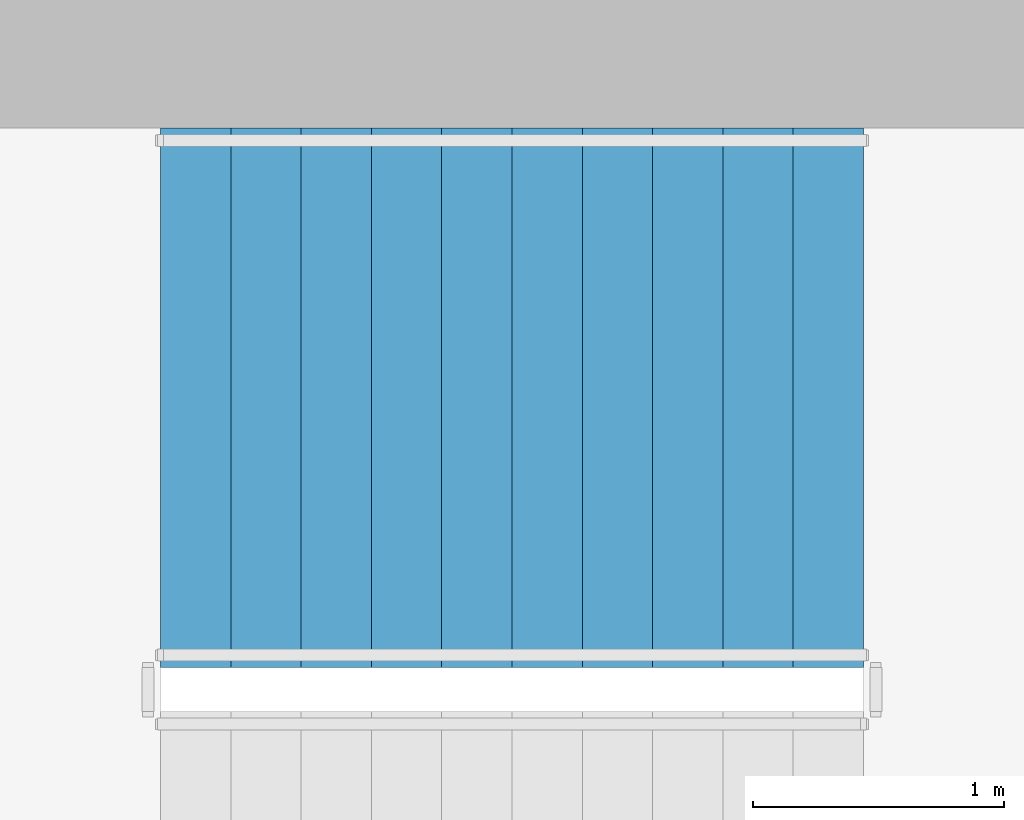
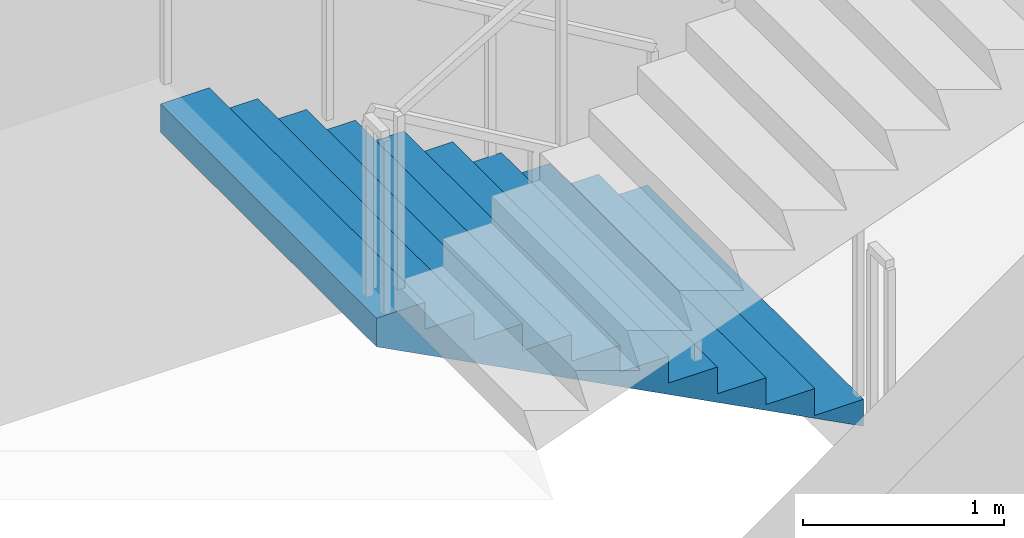
# One storey, part 16 of 24: 1 stair flight, 1 element without a shape of its own.
"""IFC4 building model written with IfcOpenShell, lengths in metres."""

from ifc_helpers import new_model, si_unit, direction, frame, origin, place, context, subcontext, project, spatial, triangles, material, type_object, element, aggregate, save


model = new_model("IFC4")

# Units and contexts
model_context = context("Model", 3, precision=1e-05, world=origin(), true_north=direction((0.0, 1.0)))
body_context = subcontext(model_context, "Body", "Model", "MODEL_VIEW")
ifc_project = project(units=[si_unit("LENGTHUNIT", "METRE"), si_unit("AREAUNIT", "SQUARE_METRE"), si_unit("VOLUMEUNIT", "CUBIC_METRE"), si_unit("PLANEANGLEUNIT", "RADIAN"), si_unit("MASSUNIT", "GRAM", prefix="KILO")], contexts=[model_context])

# Site, building, storey
site_placement = place(None, origin())
site = spatial("IfcSite", under=ifc_project, at=site_placement, CompositionType="ELEMENT")
building_placement = place(site_placement, origin())
building = spatial("IfcBuilding", under=site, at=building_placement, Name="Cypress Arch Tower", CompositionType="ELEMENT")
storey_placement = place(building_placement, frame((0.0, 0.0, 102.300048828125)))
storey = spatial("IfcBuildingStorey", under=building, at=storey_placement, Name="L20", CompositionType="ELEMENT", Elevation=102.300048828125)

# Stair, stair flight
ifc_material_1 = material(Name="Concrete C40/50", Category="concrete")
stair_type = type_object("IfcStairType", Name="Exit stair ES1636-215", PredefinedType="HALF_TURN_STAIR", material=ifc_material_1)
stair_placement = place(storey_placement, origin())
stair = element("IfcStair", 1, at=stair_placement, inside=storey, type_object=stair_type, Name="L20 Exit stair B", PredefinedType="HALF_TURN_STAIR")
ifc_material_2 = material(Name="Concrete C40/50", Category="concrete")
stair_flight_type = type_object("IfcStairFlightType", Name="Exit stair flight ES1636-215", PredefinedType="STRAIGHT", material=ifc_material_2)
stair_flight_placement = place(storey_placement, frame((-22.27490234375, 13.72509765625, 0.0), z_axis=(0.0, 0.0, 1.0), x_axis=(-1.0, 0.0, 0.0)))
stair_flight = element("IfcStairFlight", 2, at=stair_flight_placement, type_object=stair_flight_type, Name="B flight 1", NumberOfRisers=11, NumberOfTreads=10, PredefinedType="STRAIGHT", RiserHeight=0.163636364, TreadLength=0.28, context=body_context, shape_type="Tessellation", body=[
    triangles([(0.0, -1.074951171875, 0.0), (0.000244140625, -1.074951171875, 0.03271484375), (0.00048828125, -1.074951171875, 0.0654296875), (0.00048828125, -1.074951171875, 0.09814453125), (0.000244140625, -1.074951171875, 0.130859375), (0.0, -1.074951171875, 0.16357421875), (0.280029296875, -1.074951171875, 0.16357421875), (0.280029296875, -1.074951171875, 0.327392578125), (0.56005859375, -1.074951171875, 0.327392578125), (0.56005859375, -1.074951171875, 0.490966796875), (0.840087890625, -1.074951171875, 0.490966796875), (0.840087890625, -1.074951171875, 0.654541015625), (1.1201171875, -1.074951171875, 0.654541015625), (1.1201171875, -1.074951171875, 0.818115234375), (1.39990234375, -1.074951171875, 0.818115234375), (1.39990234375, -1.074951171875, 0.98193359375), (1.679931640625, -1.074951171875, 0.98193359375), (1.679931640625, -1.074951171875, 1.1455078125), (1.9599609375, -1.074951171875, 1.1455078125), (1.9599609375, -1.074951171875, 1.30908203125), (2.239990234375, -1.074951171875, 1.30908203125), (2.239990234375, -1.074951171875, 1.47265625), (2.52001953125, -1.074951171875, 1.47265625), (2.52001953125, -1.074951171875, 1.636474609375), (2.800048828125, -1.074951171875, 1.636474609375), (2.7998046875, -1.074951171875, 1.601806640625), (2.799560546875, -1.074951171875, 1.56689453125), (2.799560546875, -1.074951171875, 1.5322265625), (2.7998046875, -1.074951171875, 1.497314453125), (2.800048828125, -1.074951171875, 1.462646484375), (2.800048828125, 1.074951171875, 1.462646484375), (2.7998046875, 1.074951171875, 1.497314453125), (2.799560546875, 1.074951171875, 1.5322265625), (2.799560546875, 1.074951171875, 1.56689453125), (2.7998046875, 1.074951171875, 1.601806640625), (2.800048828125, 1.074951171875, 1.636474609375), (2.52001953125, 1.074951171875, 1.636474609375), (2.52001953125, 1.074951171875, 1.47265625), (2.239990234375, 1.074951171875, 1.47265625), (2.239990234375, 1.074951171875, 1.30908203125), (1.9599609375, 1.074951171875, 1.30908203125), (1.9599609375, 1.074951171875, 1.1455078125), (1.679931640625, 1.074951171875, 1.1455078125), (1.679931640625, 1.074951171875, 0.98193359375), (1.39990234375, 1.074951171875, 0.98193359375), (1.39990234375, 1.074951171875, 0.818115234375), (1.1201171875, 1.074951171875, 0.818115234375), (1.1201171875, 1.074951171875, 0.654541015625), (0.840087890625, 1.074951171875, 0.654541015625), (0.840087890625, 1.074951171875, 0.490966796875), (0.56005859375, 1.074951171875, 0.490966796875), (0.56005859375, 1.074951171875, 0.327392578125), (0.280029296875, 1.074951171875, 0.327392578125), (0.280029296875, 1.074951171875, 0.16357421875), (0.0, 1.074951171875, 0.16357421875), (0.000244140625, 1.074951171875, 0.130859375), (0.00048828125, 1.074951171875, 0.09814453125), (0.00048828125, 1.074951171875, 0.0654296875), (0.000244140625, 1.074951171875, 0.03271484375), (0.0, 1.074951171875, 0.0), (2.7998046875, 0.0, 1.497314453125), (2.800048828125, 0.0, 1.462646484375), (2.799560546875, 0.0, 1.5322265625), (2.799560546875, 0.0, 1.56689453125), (2.7998046875, 0.0, 1.601806640625), (2.800048828125, 0.0, 1.636474609375), (2.52001953125, 0.0, 1.636474609375), (2.52001953125, 0.0, 1.47265625), (2.239990234375, 0.0, 1.47265625), (2.239990234375, 0.0, 1.30908203125), (1.9599609375, 0.0, 1.30908203125), (1.9599609375, 0.0, 1.1455078125), (1.679931640625, 0.0, 1.1455078125), (1.679931640625, 0.0, 0.98193359375), (1.39990234375, 0.0, 0.98193359375), (1.39990234375, 0.0, 0.818115234375), (1.1201171875, 0.0, 0.818115234375), (1.1201171875, 0.0, 0.654541015625), (0.840087890625, 0.0, 0.654541015625), (0.840087890625, 0.0, 0.490966796875), (0.56005859375, 0.0, 0.490966796875), (0.56005859375, 0.0, 0.327392578125), (0.280029296875, 0.0, 0.327392578125), (0.280029296875, 0.0, 0.16357421875), (0.0, 0.0, 0.16357421875), (0.000244140625, 0.0, 0.130859375), (0.00048828125, 0.0, 0.09814453125), (0.00048828125, 0.0, 0.0654296875), (0.000244140625, 0.0, 0.03271484375), (0.0, 0.0, 0.0)], [[30, 29, 24], [29, 28, 24], [28, 27, 24], [27, 26, 24], [26, 25, 24], [17, 16, 15], [9, 8, 7], [15, 14, 13], [23, 22, 21], [21, 20, 19], [19, 18, 17], [13, 12, 11], [11, 10, 9], [6, 5, 7], [5, 4, 7], [4, 3, 7], [3, 2, 7], [2, 1, 7], [30, 24, 23], [30, 23, 21], [30, 21, 19], [30, 19, 17], [30, 17, 15], [30, 15, 13], [30, 13, 11], [30, 11, 9], [30, 9, 7], [30, 7, 1], [31, 37, 32], [32, 37, 33], [33, 37, 34], [34, 37, 35], [35, 37, 36], [44, 46, 45], [52, 54, 53], [46, 48, 47], [38, 40, 39], [40, 42, 41], [42, 44, 43], [48, 50, 49], [50, 52, 51], [55, 54, 56], [56, 54, 57], [57, 54, 58], [58, 54, 59], [59, 54, 60], [31, 38, 37], [31, 40, 38], [31, 42, 40], [31, 44, 42], [31, 46, 44], [31, 48, 46], [31, 50, 48], [31, 52, 50], [31, 54, 52], [31, 60, 54], [62, 61, 29], [62, 29, 30], [31, 32, 61], [31, 61, 62], [61, 63, 28], [61, 28, 29], [32, 33, 63], [32, 63, 61], [63, 64, 27], [63, 27, 28], [33, 34, 64], [33, 64, 63], [64, 65, 26], [64, 26, 27], [34, 35, 65], [34, 65, 64], [65, 66, 25], [65, 25, 26], [35, 36, 66], [35, 66, 65], [66, 67, 24], [66, 24, 25], [36, 37, 67], [36, 67, 66], [67, 68, 23], [67, 23, 24], [37, 38, 68], [37, 68, 67], [68, 69, 22], [68, 22, 23], [38, 39, 69], [38, 69, 68], [69, 70, 21], [69, 21, 22], [39, 40, 70], [39, 70, 69], [70, 71, 20], [70, 20, 21], [40, 41, 71], [40, 71, 70], [71, 72, 19], [71, 19, 20], [41, 42, 72], [41, 72, 71], [72, 73, 18], [72, 18, 19], [42, 43, 73], [42, 73, 72], [73, 74, 17], [73, 17, 18], [43, 44, 74], [43, 74, 73], [74, 75, 16], [74, 16, 17], [44, 45, 75], [44, 75, 74], [75, 76, 15], [75, 15, 16], [45, 46, 76], [45, 76, 75], [76, 77, 14], [76, 14, 15], [46, 47, 77], [46, 77, 76], [77, 78, 13], [77, 13, 14], [47, 48, 78], [47, 78, 77], [78, 79, 12], [78, 12, 13], [48, 49, 79], [48, 79, 78], [79, 80, 11], [79, 11, 12], [49, 50, 80], [49, 80, 79], [80, 81, 10], [80, 10, 11], [50, 51, 81], [50, 81, 80], [81, 82, 9], [81, 9, 10], [51, 52, 82], [51, 82, 81], [82, 83, 8], [82, 8, 9], [52, 53, 83], [52, 83, 82], [83, 84, 7], [83, 7, 8], [53, 54, 84], [53, 84, 83], [84, 85, 6], [84, 6, 7], [54, 55, 85], [54, 85, 84], [85, 86, 5], [85, 5, 6], [55, 56, 86], [55, 86, 85], [86, 87, 4], [86, 4, 5], [56, 57, 87], [56, 87, 86], [87, 88, 3], [87, 3, 4], [57, 58, 88], [57, 88, 87], [88, 89, 2], [88, 2, 3], [58, 59, 89], [58, 89, 88], [89, 90, 1], [89, 1, 2], [59, 60, 90], [59, 90, 89], [90, 62, 30], [90, 30, 1], [60, 31, 62], [60, 62, 90]], closed=True),
])
aggregate(stair, [stair_flight])

save(model, "model.ifc")
